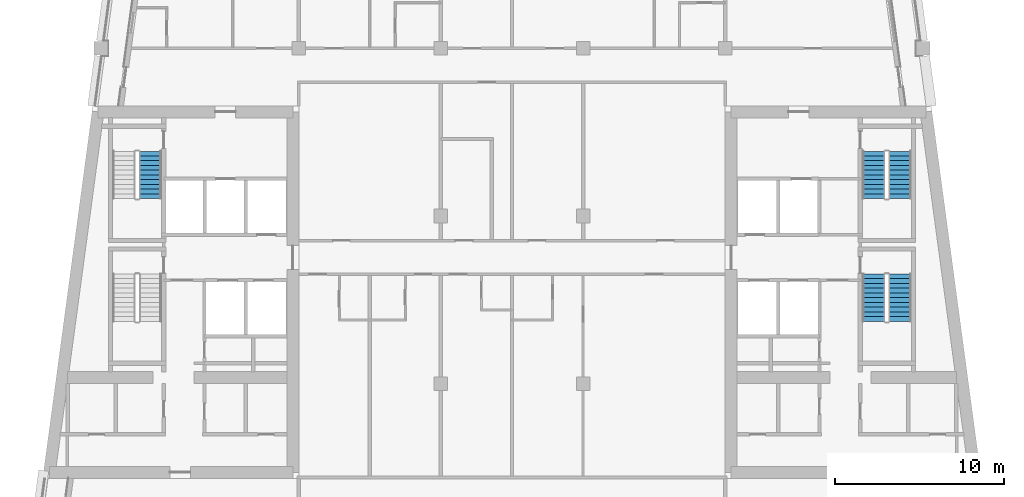
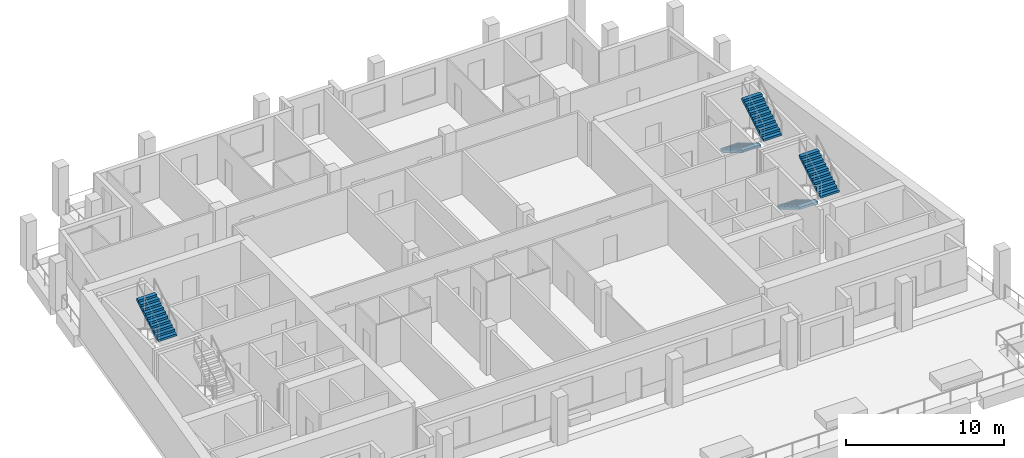
# One storey, part 7 of 12: 5 stair flights, 3 elements without a shape of their own.
"""IFC4 building model written with IfcOpenShell, lengths in metres."""

from ifc_helpers import new_model, si_unit, direction, frame, origin, place, context, subcontext, project, spatial, polyline, outline, extrude, material, type_object, element, aggregate, save


model = new_model("IFC4")

# Units and contexts
model_context = context("Model", 3, precision=1e-05, world=origin(), true_north=direction((0.0, 1.0)))
body_context = subcontext(model_context, "Body", "Model", "MODEL_VIEW")
ifc_project = project(units=[si_unit("LENGTHUNIT", "METRE"), si_unit("AREAUNIT", "SQUARE_METRE"), si_unit("VOLUMEUNIT", "CUBIC_METRE"), si_unit("PLANEANGLEUNIT", "RADIAN"), si_unit("MASSUNIT", "GRAM", prefix="KILO")], contexts=[model_context])

# Site, building, storey
site_placement = place(None, origin())
site = spatial("IfcSite", under=ifc_project, at=site_placement, CompositionType="ELEMENT")
building_placement = place(site_placement, origin())
building = spatial("IfcBuilding", under=site, at=building_placement, Name="Candeia Pilgrim Tower and Theatre", CompositionType="ELEMENT")
storey_placement = place(building_placement, frame((0.0, 0.0, 259.0)))
storey = spatial("IfcBuildingStorey", under=building, at=storey_placement, Name="L62", CompositionType="ELEMENT", Elevation=259.0)

# Stair, stair flight
ifc_material = material(Name="Concrete C40/50", Category="concrete")
stair_type = type_object("IfcStairType", Name="ST-TWR dog-leg escape stair", PredefinedType="HALF_TURN_STAIR", material=ifc_material)
stair_1_placement = place(storey_placement, origin())
stair_1 = element("IfcStair", 1, at=stair_1_placement, inside=storey, type_object=stair_type, Name="L62 Escape stair ST2", PredefinedType="HALF_TURN_STAIR")
stair_flight_type = type_object("IfcStairFlightType", Name="SFL-RC stair flight", PredefinedType="STRAIGHT", material=ifc_material)
stair_flight_1_placement = place(storey_placement, frame((92.027099609375, 126.925048828125, 1.85009765625), z_axis=(0.0, 0.0, 1.0), x_axis=(0.0, 1.0, 0.0)))
stair_flight_1 = element("IfcStairFlight", 2, at=stair_flight_1_placement, type_object=stair_flight_type, Name="ST2 flight 2", NumberOfRisers=11, NumberOfTreads=10, PredefinedType="STRAIGHT", RiserHeight=0.168181818, TreadLength=0.28, context=body_context, shape_type="SweptSolid", body=[
    extrude(outline(polyline([(0.0, 0.0), (0.0, 0.168212890625), (0.280029296875, 0.168212890625), (0.280029296875, 0.33642578125), (0.56005859375, 0.33642578125), (0.56005859375, 0.504638671875), (0.840087890625, 0.504638671875), (0.840087890625, 0.672607421875), (1.1201171875, 0.672607421875), (1.1201171875, 0.8408203125), (1.39990234375, 0.8408203125), (1.39990234375, 1.009033203125), (1.679931640625, 1.009033203125), (1.679931640625, 1.17724609375), (1.9599609375, 1.17724609375), (1.9599609375, 1.345458984375), (2.239990234375, 1.345458984375), (2.239990234375, 1.513671875), (2.52001953125, 1.513671875), (2.52001953125, 1.681884765625), (2.800048828125, 1.681884765625), (2.800048828125, 1.85009765625), (2.800048828125, 1.5068359375), (0.291015625, 0.0), (0.0, 0.0)])), frame((0.0, 0.675048828125, 0.0), z_axis=(0.0, -1.0, 0.0), x_axis=(1.0, 0.0, 0.0)), (0.0, 0.0, 1.0), 1.35009765625),
])
aggregate(stair_1, [stair_flight_1])

# Stair, stair flights
stair_2_placement = place(storey_placement, origin())
stair_2 = element("IfcStair", 3, at=stair_2_placement, inside=storey, type_object=stair_type, Name="L62 Escape stair ST3", PredefinedType="HALF_TURN_STAIR")
stair_flight_2_placement = place(storey_placement, frame((134.77294921875, 122.47509765625, 0.0), z_axis=(0.0, 0.0, 1.0), x_axis=(0.0, -1.0, 0.0)))
stair_flight_2 = element("IfcStairFlight", 4, at=stair_flight_2_placement, type_object=stair_flight_type, Name="ST3 flight 1", NumberOfRisers=11, NumberOfTreads=10, PredefinedType="STRAIGHT", RiserHeight=0.168181818, TreadLength=0.28, context=body_context, shape_type="SweptSolid", body=[
    extrude(outline(polyline([(0.0, 0.0), (0.0, 0.168212890625), (0.280029296875, 0.168212890625), (0.280029296875, 0.33642578125), (0.56005859375, 0.33642578125), (0.56005859375, 0.504638671875), (0.840087890625, 0.504638671875), (0.840087890625, 0.672607421875), (1.1201171875, 0.672607421875), (1.1201171875, 0.8408203125), (1.39990234375, 0.8408203125), (1.39990234375, 1.009033203125), (1.679931640625, 1.009033203125), (1.679931640625, 1.17724609375), (1.9599609375, 1.17724609375), (1.9599609375, 1.345458984375), (2.239990234375, 1.345458984375), (2.239990234375, 1.513671875), (2.52001953125, 1.513671875), (2.52001953125, 1.681884765625), (2.800048828125, 1.681884765625), (2.800048828125, 1.85009765625), (2.800048828125, 1.5068359375), (0.291015625, 0.0), (0.0, 0.0)])), frame((0.0, 0.675048828125, 0.0), z_axis=(0.0, -1.0, 0.0), x_axis=(1.0, 0.0, 0.0)), (0.0, 0.0, 1.0), 1.35009765625),
])
stair_flight_3_placement = place(storey_placement, frame((136.322998046875, 119.675048828125, 1.85009765625), z_axis=(0.0, 0.0, 1.0), x_axis=(0.0, 1.0, 0.0)))
stair_flight_3 = element("IfcStairFlight", 5, at=stair_flight_3_placement, type_object=stair_flight_type, Name="ST3 flight 2", NumberOfRisers=11, NumberOfTreads=10, PredefinedType="STRAIGHT", RiserHeight=0.168181818, TreadLength=0.28, context=body_context, shape_type="SweptSolid", body=[
    extrude(outline(polyline([(0.0, 0.0), (0.0, 0.168212890625), (0.280029296875, 0.168212890625), (0.280029296875, 0.33642578125), (0.56005859375, 0.33642578125), (0.56005859375, 0.504638671875), (0.840087890625, 0.504638671875), (0.840087890625, 0.672607421875), (1.1201171875, 0.672607421875), (1.1201171875, 0.8408203125), (1.39990234375, 0.8408203125), (1.39990234375, 1.009033203125), (1.679931640625, 1.009033203125), (1.679931640625, 1.17724609375), (1.9599609375, 1.17724609375), (1.9599609375, 1.345458984375), (2.239990234375, 1.345458984375), (2.239990234375, 1.513671875), (2.52001953125, 1.513671875), (2.52001953125, 1.681884765625), (2.800048828125, 1.681884765625), (2.800048828125, 1.85009765625), (2.800048828125, 1.5068359375), (0.291015625, 0.0), (0.0, 0.0)])), frame((0.0, 0.675048828125, 0.0), z_axis=(0.0, -1.0, 0.0), x_axis=(1.0, 0.0, 0.0)), (0.0, 0.0, 1.0), 1.35009765625),
])
aggregate(stair_2, [stair_flight_2, stair_flight_3])

stair_3_placement = place(storey_placement, origin())
stair_3 = element("IfcStair", 6, at=stair_3_placement, inside=storey, type_object=stair_type, Name="L62 Escape stair ST4", PredefinedType="HALF_TURN_STAIR")
stair_flight_4_placement = place(storey_placement, frame((134.77294921875, 129.72509765625, 0.0), z_axis=(0.0, 0.0, 1.0), x_axis=(0.0, -1.0, 0.0)))
stair_flight_4 = element("IfcStairFlight", 7, at=stair_flight_4_placement, type_object=stair_flight_type, Name="ST4 flight 1", NumberOfRisers=11, NumberOfTreads=10, PredefinedType="STRAIGHT", RiserHeight=0.168181818, TreadLength=0.28, context=body_context, shape_type="SweptSolid", body=[
    extrude(outline(polyline([(0.0, 0.0), (0.0, 0.168212890625), (0.280029296875, 0.168212890625), (0.280029296875, 0.33642578125), (0.56005859375, 0.33642578125), (0.56005859375, 0.504638671875), (0.840087890625, 0.504638671875), (0.840087890625, 0.672607421875), (1.1201171875, 0.672607421875), (1.1201171875, 0.8408203125), (1.39990234375, 0.8408203125), (1.39990234375, 1.009033203125), (1.679931640625, 1.009033203125), (1.679931640625, 1.17724609375), (1.9599609375, 1.17724609375), (1.9599609375, 1.345458984375), (2.239990234375, 1.345458984375), (2.239990234375, 1.513671875), (2.52001953125, 1.513671875), (2.52001953125, 1.681884765625), (2.800048828125, 1.681884765625), (2.800048828125, 1.85009765625), (2.800048828125, 1.5068359375), (0.291015625, 0.0), (0.0, 0.0)])), frame((0.0, 0.675048828125, 0.0), z_axis=(0.0, -1.0, 0.0), x_axis=(1.0, 0.0, 0.0)), (0.0, 0.0, 1.0), 1.35009765625),
])
stair_flight_5_placement = place(storey_placement, frame((136.322998046875, 126.925048828125, 1.85009765625), z_axis=(0.0, 0.0, 1.0), x_axis=(0.0, 1.0, 0.0)))
stair_flight_5 = element("IfcStairFlight", 8, at=stair_flight_5_placement, type_object=stair_flight_type, Name="ST4 flight 2", NumberOfRisers=11, NumberOfTreads=10, PredefinedType="STRAIGHT", RiserHeight=0.168181818, TreadLength=0.28, context=body_context, shape_type="SweptSolid", body=[
    extrude(outline(polyline([(0.0, 0.0), (0.0, 0.168212890625), (0.280029296875, 0.168212890625), (0.280029296875, 0.33642578125), (0.56005859375, 0.33642578125), (0.56005859375, 0.504638671875), (0.840087890625, 0.504638671875), (0.840087890625, 0.672607421875), (1.1201171875, 0.672607421875), (1.1201171875, 0.8408203125), (1.39990234375, 0.8408203125), (1.39990234375, 1.009033203125), (1.679931640625, 1.009033203125), (1.679931640625, 1.17724609375), (1.9599609375, 1.17724609375), (1.9599609375, 1.345458984375), (2.239990234375, 1.345458984375), (2.239990234375, 1.513671875), (2.52001953125, 1.513671875), (2.52001953125, 1.681884765625), (2.800048828125, 1.681884765625), (2.800048828125, 1.85009765625), (2.800048828125, 1.5068359375), (0.291015625, 0.0), (0.0, 0.0)])), frame((0.0, 0.675048828125, 0.0), z_axis=(0.0, -1.0, 0.0), x_axis=(1.0, 0.0, 0.0)), (0.0, 0.0, 1.0), 1.35009765625),
])
aggregate(stair_3, [stair_flight_4, stair_flight_5])

save(model, "model.ifc")
